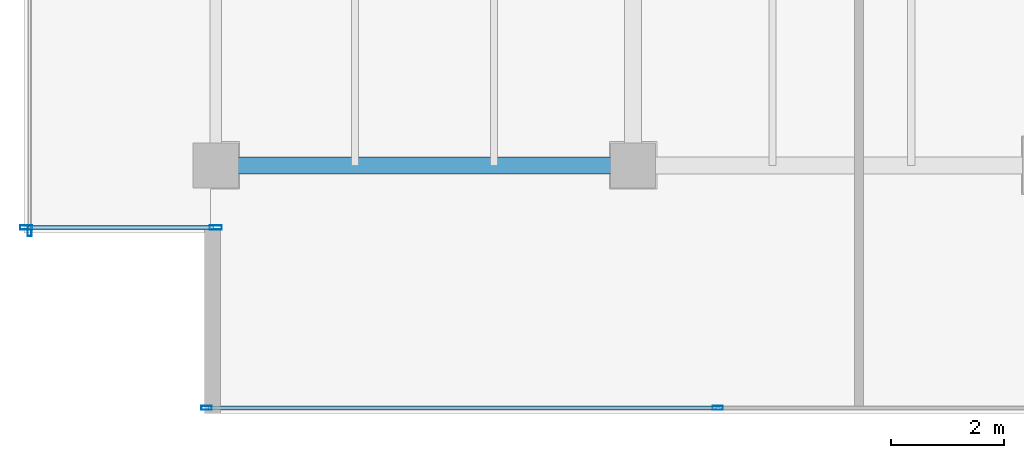
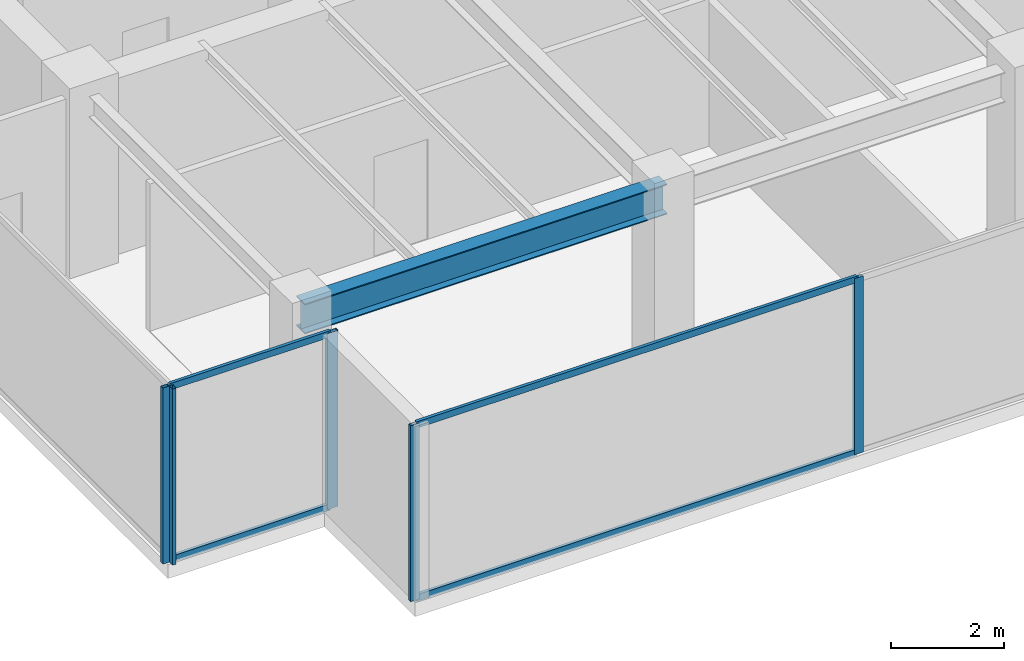
# One storey, part 5 of 36: 9 members, 1 beam, 3 elements without a shape of their own.
"""IFC4 building model written with IfcOpenShell, lengths in metres."""

import ifcopenshell
import ifcopenshell.guid

model = None  # the IFC model being written
_history = None  # IfcOwnerHistory: only IFC2X3 demands one
_inside = {}  # id of a spatial element -> (the spatial element, [elements in it])
_under = {}  # id of a project, library or spatial element -> (it, [spatial elements below it])
_declared = {}  # id of a project -> (the project, [libraries it declares])
_typed = {}  # id of a type object -> (the type object, [elements of that type])
_made_of = {}  # id of a material, layer set ... -> (it, [elements and type objects made of it])


def new_model(schema):
    """Start an empty IFC model of exactly this schema.

    Asked for "IFC4X3", IfcOpenShell would pick the latest addendum, in which some entities
    have other attributes; the version numbers below select the first issue.
    IFC2X3 requires an IfcOwnerHistory on every rooted entity: one is made here for all.
    """
    global model, _history
    if schema == "IFC4X3":
        model = ifcopenshell.file(schema_version=(4, 3, 0, 0))
    else:
        model = ifcopenshell.file(schema=schema)
    _inside.clear()
    _under.clear()
    _declared.clear()
    _typed.clear()
    _made_of.clear()
    _history = None
    if model.schema == "IFC2X3":
        org = make("IfcOrganization", Name="unknown")
        user = make(
            "IfcPersonAndOrganization",
            ThePerson=make("IfcPerson", FamilyName="unknown"),
            TheOrganization=org,
        )
        app = make(
            "IfcApplication",
            ApplicationDeveloper=org,
            Version="unknown",
            ApplicationFullName="unknown",
            ApplicationIdentifier="unknown",
        )
        _history = make(
            "IfcOwnerHistory",
            OwningUser=user,
            OwningApplication=app,
            ChangeAction="ADDED",
            CreationDate=0,
        )
    return model


def make(cls, **values):
    """One entity of the class cls with the attributes given. An attribute that is None is left unset."""
    return model.create_entity(
        cls, **{name: value for name, value in values.items() if value is not None}
    )


def rooted(cls, **values):
    """An entity with a GlobalId (a new one), such as an element, a storey or a relation."""
    return make(cls, GlobalId=ifcopenshell.guid.new(), OwnerHistory=_history, **values)


def si_unit(unit_type, name, prefix=None):
    """IfcSIUnit, for example si_unit("LENGTHUNIT", "METRE", prefix="MILLI")."""
    return make("IfcSIUnit", UnitType=unit_type, Prefix=prefix, Name=name)


def assignment(units):
    """IfcUnitAssignment: the units of a project."""
    return None if units is None else make("IfcUnitAssignment", Units=units)


def point(xyz):
    """IfcCartesianPoint."""
    return None if xyz is None else make("IfcCartesianPoint", Coordinates=xyz)


def direction(xyz):
    """IfcDirection."""
    return None if xyz is None else make("IfcDirection", DirectionRatios=xyz)


def frame(location, z_axis=None, x_axis=None):
    """IfcAxis2Placement3D, a coordinate frame: its origin and axes. An axis left out is left unset."""
    return make(
        "IfcAxis2Placement3D",
        Location=point(location),
        Axis=direction(z_axis),
        RefDirection=direction(x_axis),
    )


def frame_2d(location, x_axis=None):
    """IfcAxis2Placement2D, a coordinate frame in the plane: its origin and x axis."""
    return make(
        "IfcAxis2Placement2D", Location=point(location), RefDirection=direction(x_axis)
    )


def origin():
    """The frame at (0, 0, 0) with its axes left unset."""
    return frame((0.0, 0.0, 0.0))


def origin_2d():
    """The frame at (0, 0) in the plane with its x axis left unset."""
    return frame_2d((0.0, 0.0))


def place(relative_to, where):
    """IfcLocalPlacement: puts the frame where relative to a parent placement (None: the world)."""
    return make(
        "IfcLocalPlacement", PlacementRelTo=relative_to, RelativePlacement=where
    )


def context(
    kind, dimensions, precision=None, world=None, true_north=None, identifier=None
):
    """IfcGeometricRepresentationContext, for example the 3D "Model" context."""
    return make(
        "IfcGeometricRepresentationContext",
        ContextIdentifier=identifier,
        ContextType=kind,
        CoordinateSpaceDimension=dimensions,
        Precision=precision,
        WorldCoordinateSystem=world,
        TrueNorth=true_north,
    )


def subcontext(parent, identifier, kind, view, scale=None):
    """IfcGeometricRepresentationSubContext, for example "Body" below "Model"."""
    return make(
        "IfcGeometricRepresentationSubContext",
        ContextIdentifier=identifier,
        ContextType=kind,
        ParentContext=parent,
        TargetScale=scale,
        TargetView=view,
    )


def project(units=None, contexts=None):
    """IfcProject with its units and contexts."""
    return rooted(
        "IfcProject",
        Name="project",
        RepresentationContexts=contexts,
        UnitsInContext=assignment(units),
    )


def spatial(cls, under=None, at=None, **own):
    """A site, building, storey or space (cls), placed at a placement, below another one or the project."""
    s = rooted(cls, ObjectPlacement=at, **own)
    if under is not None:
        _under.setdefault(under.id(), (under, []))[1].append(s)
    return s


def profile(cls, at=None, kind="AREA", **sizes):
    """A parametric profile (cls). Its sizes go by their IFC names, for example OverallWidth=200.0."""
    return make(cls, ProfileType=kind, Position=at, **sizes)


def hollow_rectangle(**sizes):
    """IfcRectangleHollowProfileDef."""
    return profile("IfcRectangleHollowProfileDef", **sizes)


def i_section(**sizes):
    """IfcIShapeProfileDef."""
    return profile("IfcIShapeProfileDef", **sizes)


def extrude(swept, where, along, depth):
    """IfcExtrudedAreaSolid: the profile swept, set in the frame where, extruded along a direction by depth."""
    return make(
        "IfcExtrudedAreaSolid",
        SweptArea=swept,
        Position=where,
        ExtrudedDirection=direction(along),
        Depth=depth,
    )


def shape(context_of_items, identifier, shape_type, items):
    """IfcShapeRepresentation: the items that make up one representation, for example the "Body"."""
    return make(
        "IfcShapeRepresentation",
        ContextOfItems=context_of_items,
        RepresentationIdentifier=identifier,
        RepresentationType=shape_type,
        Items=items,
    )


def source(mapping_origin, context_of_items, identifier, shape_type, items):
    """IfcRepresentationMap: a shape defined once, which mapped items show again and again."""
    return make(
        "IfcRepresentationMap",
        MappingOrigin=mapping_origin,
        MappedRepresentation=shape(context_of_items, identifier, shape_type, items),
    )


def transform(
    local_origin,
    x_axis=None,
    y_axis=None,
    z_axis=None,
    scale=None,
    scale2=None,
    scale3=None,
    uniform=True,
):
    """IfcCartesianTransformationOperator3D, or its non-uniform kind. x_axis, y_axis, z_axis: its Axis1, 2, 3."""
    if uniform:
        return make(
            "IfcCartesianTransformationOperator3D",
            Axis1=direction(x_axis),
            Axis2=direction(y_axis),
            LocalOrigin=point(local_origin),
            Scale=scale,
            Axis3=direction(z_axis),
        )
    return make(
        "IfcCartesianTransformationOperator3DnonUniform",
        Axis1=direction(x_axis),
        Axis2=direction(y_axis),
        LocalOrigin=point(local_origin),
        Scale=scale,
        Axis3=direction(z_axis),
        Scale2=scale2,
        Scale3=scale3,
    )


def mapped(mapping_source, mapping_target):
    """IfcMappedItem: shows the shape of a source again, moved by a transform."""
    return make(
        "IfcMappedItem", MappingSource=mapping_source, MappingTarget=mapping_target
    )


def material(Name=None, Category=None):
    """IfcMaterial."""
    return make("IfcMaterial", Name=Name, Category=Category)


def layer(
    of_material, thickness, ventilated=None, Name=None, Category=None, Priority=None
):
    """IfcMaterialLayer: one layer of a wall or slab, of a material (None: an air gap)."""
    return make(
        "IfcMaterialLayer",
        Material=of_material,
        LayerThickness=thickness,
        IsVentilated=ventilated,
        Name=Name,
        Category=Category,
        Priority=Priority,
    )


def layer_set(layers, Name=None):
    """IfcMaterialLayerSet."""
    return make("IfcMaterialLayerSet", MaterialLayers=layers, LayerSetName=Name)


def material_profile(
    of_material, cross_section, Name=None, Category=None, Priority=None
):
    """IfcMaterialProfile: a cross section and its material."""
    return make(
        "IfcMaterialProfile",
        Name=Name,
        Material=of_material,
        Profile=cross_section,
        Priority=Priority,
        Category=Category,
    )


def profile_set(profiles, Name=None, composite=None):
    """IfcMaterialProfileSet."""
    return make(
        "IfcMaterialProfileSet",
        Name=Name,
        MaterialProfiles=profiles,
        CompositeProfile=composite,
    )


def made_of(thing, what):
    """Note that an element or type object is made of a material, layer set ...; save() writes the relation."""
    if what is not None:
        _made_of.setdefault(what.id(), (what, []))[1].append(thing)
    return thing


def type_object(cls, material=None, **own):
    """A type object (cls), such as IfcWallType, which elements share."""
    return made_of(rooted(cls, **own), material)


def type_shapes(of_type, sources):
    """Give a type object the sources (RepresentationMaps) that its elements show as mapped items."""
    of_type.RepresentationMaps = sources


def element(
    cls,
    number,
    at=None,
    inside=None,
    cuts=None,
    type_object=None,
    material=None,
    context=None,
    identifier="Body",
    shape_type=None,
    held_by="IfcProductDefinitionShape",
    body=None,
    shapes=None,
    **own,
):
    """One element of the class cls, such as IfcWall. Its Tag is "e" and its number.

    at: its placement. inside: the storey or other place that contains it. cuts: it is an
    opening in that element (IfcRelVoidsElement). A single representation is given by context,
    identifier, shape_type and body (its items); several are given by shapes. held_by: the class
    of the entity that holds the representations. save() writes the other relations.
    """
    e = rooted(cls, Tag="e%d" % number, ObjectPlacement=at, **own)
    if body is not None:
        shapes = [shape(context, identifier, shape_type, body)]
    if shapes is not None:
        e.Representation = make(held_by, Representations=shapes)
    if inside is not None:
        _inside.setdefault(inside.id(), (inside, []))[1].append(e)
    if cuts is not None:
        rooted(
            "IfcRelVoidsElement", RelatingBuildingElement=cuts, RelatedOpeningElement=e
        )
    if type_object is not None:
        _typed.setdefault(type_object.id(), (type_object, []))[1].append(e)
    return made_of(e, material)


def aggregate(whole, parts):
    """IfcRelAggregates: a whole, such as a stair, and the parts it consists of."""
    return rooted("IfcRelAggregates", RelatingObject=whole, RelatedObjects=parts)


def save(model, path):
    """Write the relations noted so far, then the file.

    IfcRelAggregates (storeys below a building ...), IfcRelContainedInSpatialStructure (elements
    in a storey), IfcRelDefinesByType, IfcRelAssociatesMaterial and IfcRelDeclares: one each for
    every whole, place, type object, material and project.
    """
    for whole, parts in _under.values():
        aggregate(whole, parts)
    for where, things in _inside.values():
        rooted(
            "IfcRelContainedInSpatialStructure",
            RelatedElements=things,
            RelatingStructure=where,
        )
    for kind, things in _typed.values():
        rooted("IfcRelDefinesByType", RelatedObjects=things, RelatingType=kind)
    for what, things in _made_of.values():
        rooted("IfcRelAssociatesMaterial", RelatedObjects=things, RelatingMaterial=what)
    for by, libraries in _declared.values():
        rooted("IfcRelDeclares", RelatingContext=by, RelatedDefinitions=libraries)
    model.write(path)


model = new_model("IFC4")

# Units and contexts
model_context = context("Model", 3, precision=1e-05, world=origin(), true_north=direction((0.0, 1.0)))
body_context = subcontext(model_context, "Body", "Model", "MODEL_VIEW")
ifc_project = project(units=[si_unit("LENGTHUNIT", "METRE"), si_unit("AREAUNIT", "SQUARE_METRE"), si_unit("VOLUMEUNIT", "CUBIC_METRE"), si_unit("PLANEANGLEUNIT", "RADIAN"), si_unit("MASSUNIT", "GRAM", prefix="KILO")], contexts=[model_context])

# Site, building, storey
site_placement = place(None, origin())
site = spatial("IfcSite", under=ifc_project, at=site_placement, CompositionType="ELEMENT")
building_placement = place(site_placement, origin())
building = spatial("IfcBuilding", under=site, at=building_placement, Name="Haelvirn Gate Laboratories", CompositionType="ELEMENT")
storey_placement = place(building_placement, frame((0.0, 0.0, 254.699951171875)))
storey = spatial("IfcBuildingStorey", under=building, at=storey_placement, Name="L61", CompositionType="ELEMENT", Elevation=254.699951171875)

# Beam
ifc_material_1 = material(Name="Steel SM355", Category="steel")
ifc_material_profile_1 = material_profile(ifc_material_1, i_section(OverallWidth=0.300048828125, OverallDepth=0.64990234375, WebThickness=0.012939453125, FlangeThickness=0.02197265625, at=origin_2d()), Name="H-650x300x13x22")
ifc_profile_set_1 = profile_set([ifc_material_profile_1], Name="Steel SM355")
beam_type = type_object("IfcBeamType", Name="BM-G-650", PredefinedType="BEAM", material=ifc_profile_set_1)
shared_shape_1 = source(origin(), body_context, "Body", "SweptSolid", [
    extrude(i_section(OverallWidth=0.300048828125, OverallDepth=0.64990234375, WebThickness=0.012939453125, FlangeThickness=0.02197265625, at=origin_2d()), origin(), (0.0, 0.0, 1.0), 7.400146484375),
])
type_shapes(beam_type, [shared_shape_1])
beam_placement = place(storey_placement, frame((7.39990234375, 7.0, 3.47509765625), z_axis=(1.0, 0.0, 0.0), x_axis=(0.0, 1.0, 0.0)))
element("IfcBeam", 1, at=beam_placement, inside=storey, type_object=beam_type, Name="L61 Primary Girder Y7.0 (7.4-14.8)", PredefinedType="BEAM", context=body_context, shape_type="MappedRepresentation", body=[
    mapped(shared_shape_1, transform((0.0, 0.0, 0.0), scale=1.0)),
])

# Curtain wall, members
ifc_material_2 = material(Name="Anodised bronze unitised aluminium & triple low-E glass", Category="aluminium")
ifc_layer_1 = layer(ifc_material_2, 0.181884765625, Name="CW-SYS-5")
ifc_layer_set_1 = layer_set([ifc_layer_1], Name="Anodised bronze unitised aluminium & triple low-E glass")
curtain_wall_type_1 = type_object("IfcCurtainWallType", Name="CW-SYS-5", PredefinedType="NOTDEFINED", material=ifc_layer_set_1)
curtain_wall_1_placement = place(storey_placement, origin())
curtain_wall_1 = element("IfcCurtainWall", 2, at=curtain_wall_1_placement, inside=storey, type_object=curtain_wall_type_1, Name="L61 Unitised Curtain Wall CW-L61-P0-E18-1", PredefinedType="NOTDEFINED")
ifc_material_3 = material(Name="Extruded aluminium 6063-T6 (anodised bronze)", Category="aluminium")
ifc_material_profile_2 = material_profile(ifc_material_3, hollow_rectangle(XDim=0.06494140625, YDim=0.139892578125, WallThickness=0.00390625, at=origin_2d()), Name="CWT-140x65x4")
ifc_profile_set_2 = profile_set([ifc_material_profile_2], Name="Extruded aluminium 6063-T6 (anodised bronze)")
member_type_1 = type_object("IfcMemberType", Name="CWT-T140", PredefinedType="USERDEFINED", material=ifc_profile_set_2)
shared_shape_2 = source(origin(), body_context, "Body", "SweptSolid", [
    extrude(hollow_rectangle(XDim=0.06494140625, YDim=0.139892578125, WallThickness=0.00390625, at=origin_2d()), origin(), (0.0, 0.0, 1.0), 3.280029296875),
])
member_1_placement = place(storey_placement, frame((4.080078125, 5.89990234375, 0.032470703125), z_axis=(1.0, 0.0, 0.0), x_axis=(0.0, 1.0, 0.0)))
member_1 = element("IfcMember", 3, at=member_1_placement, type_object=member_type_1, Name="CW5 transom 1.1", ObjectType="TRANSOM", PredefinedType="USERDEFINED", context=body_context, shape_type="MappedRepresentation", body=[
    mapped(shared_shape_2, transform((0.0, 0.0, 0.0), scale=1.0)),
])
member_2_placement = place(storey_placement, frame((4.080078125, 5.89990234375, 3.767578125), z_axis=(1.0, 0.0, 0.0), x_axis=(0.0, 1.0, 0.0)))
member_2 = element("IfcMember", 4, at=member_2_placement, type_object=member_type_1, Name="CW5 transom 1.2", ObjectType="TRANSOM", PredefinedType="USERDEFINED", context=body_context, shape_type="MappedRepresentation", body=[
    mapped(shared_shape_2, transform((0.0, 0.0, 0.0), scale=1.0)),
])

ifc_layer_2 = layer(ifc_material_2, 0.176025390625, Name="CW-SYS-4")
ifc_layer_set_2 = layer_set([ifc_layer_2], Name="Anodised bronze unitised aluminium & triple low-E glass")
curtain_wall_type_2 = type_object("IfcCurtainWallType", Name="CW-SYS-4", PredefinedType="NOTDEFINED", material=ifc_layer_set_2)
curtain_wall_2_placement = place(storey_placement, origin())
curtain_wall_2 = element("IfcCurtainWall", 5, at=curtain_wall_2_placement, inside=storey, type_object=curtain_wall_type_2, Name="L61 Unitised Curtain Wall CW-L61-P0-E00-1", PredefinedType="NOTDEFINED")
ifc_material_profile_3 = material_profile(ifc_material_3, hollow_rectangle(XDim=0.070068359375, YDim=0.179931640625, WallThickness=0.0048828125, at=origin_2d()), Name="CWM-180x70x5")
ifc_profile_set_3 = profile_set([ifc_material_profile_3], Name="Extruded aluminium 6063-T6 (anodised bronze)")
member_type_2 = type_object("IfcMemberType", Name="CWM-T180", PredefinedType="MULLION", material=ifc_profile_set_3)
shared_shape_3 = source(origin(), body_context, "Body", "SweptSolid", [
    extrude(hollow_rectangle(XDim=0.070068359375, YDim=0.179931640625, WallThickness=0.0048828125, at=origin_2d()), origin(), (0.0, 0.0, 1.0), 3.800048828125),
])
type_shapes(member_type_2, [shared_shape_3])
member_3_placement = place(storey_placement, frame((7.235107421875, 2.699951171875, 0.0), z_axis=(0.0, 0.0, 1.0), x_axis=(0.0, 1.0, 0.0)))
member_3 = element("IfcMember", 6, at=member_3_placement, type_object=member_type_2, Name="CW4 mullion 1", PredefinedType="MULLION", context=body_context, shape_type="MappedRepresentation", body=[
    mapped(shared_shape_3, transform((0.0, 0.0, 0.0), scale=1.0)),
])
member_4_placement = place(storey_placement, frame((16.300048828125, 2.699951171875, 0.0), z_axis=(0.0, 0.0, 1.0), x_axis=(0.0, 1.0, 0.0)))
member_4 = element("IfcMember", 7, at=member_4_placement, type_object=member_type_2, Name="CW4 mullion 2", PredefinedType="MULLION", context=body_context, shape_type="MappedRepresentation", body=[
    mapped(shared_shape_3, transform((0.0, 0.0, 0.0), scale=1.0)),
])

# Curtain wall, member
curtain_wall_3_placement = place(storey_placement, origin())
curtain_wall_3 = element("IfcCurtainWall", 8, at=curtain_wall_3_placement, inside=storey, type_object=curtain_wall_type_2, Name="L61 Unitised Curtain Wall CW-L61-P0-E17", PredefinedType="NOTDEFINED")
member_5_placement = place(storey_placement, frame((4.10009765625, 5.8349609375, 0.0), z_axis=(0.0, 0.0, 1.0), x_axis=(1.0, 0.0, 0.0)))
member_5 = element("IfcMember", 9, at=member_5_placement, type_object=member_type_2, Name="CW4 mullion 3", PredefinedType="MULLION", context=body_context, shape_type="MappedRepresentation", body=[
    mapped(shared_shape_3, transform((0.0, 0.0, 0.0), scale=1.0)),
])
aggregate(curtain_wall_3, [member_5])

# Member
shared_shape_4 = source(origin(), body_context, "Body", "SweptSolid", [
    extrude(hollow_rectangle(XDim=0.06494140625, YDim=0.139892578125, WallThickness=0.00390625, at=origin_2d()), origin(), (0.0, 0.0, 1.0), 8.994873046875),
])
type_shapes(member_type_1, [shared_shape_2, shared_shape_4])
member_6_placement = place(storey_placement, frame((7.27001953125, 2.699951171875, 0.032470703125), z_axis=(1.0, 0.0, 0.0), x_axis=(0.0, 1.0, 0.0)))
member_6 = element("IfcMember", 10, at=member_6_placement, type_object=member_type_1, Name="CW4 transom 1.1", ObjectType="TRANSOM", PredefinedType="USERDEFINED", context=body_context, shape_type="MappedRepresentation", body=[
    mapped(shared_shape_4, transform((0.0, 0.0, 0.0), scale=1.0)),
])

member_7_placement = place(storey_placement, frame((7.27001953125, 2.699951171875, 3.767578125), z_axis=(1.0, 0.0, 0.0), x_axis=(0.0, 1.0, 0.0)))
member_7 = element("IfcMember", 11, at=member_7_placement, type_object=member_type_1, Name="CW4 transom 1.2", ObjectType="TRANSOM", PredefinedType="USERDEFINED", context=body_context, shape_type="MappedRepresentation", body=[
    mapped(shared_shape_4, transform((0.0, 0.0, 0.0), scale=1.0)),
])

aggregate(curtain_wall_2, [member_3, member_4, member_6, member_7])

ifc_material_profile_4 = material_profile(ifc_material_3, hollow_rectangle(XDim=0.080078125, YDim=0.219970703125, WallThickness=0.006103515625, at=origin_2d()), Name="CWM-220x80x6")
ifc_profile_set_4 = profile_set([ifc_material_profile_4], Name="Extruded aluminium 6063-T6 (anodised bronze)")
member_type_3 = type_object("IfcMemberType", Name="CWM-T220", PredefinedType="MULLION", material=ifc_profile_set_4)
shared_shape_5 = source(origin(), body_context, "Body", "SweptSolid", [
    extrude(hollow_rectangle(XDim=0.080078125, YDim=0.219970703125, WallThickness=0.006103515625, at=origin_2d()), origin(), (0.0, 0.0, 1.0), 3.800048828125),
])
type_shapes(member_type_3, [shared_shape_5])
member_8_placement = place(storey_placement, frame((4.0400390625, 5.89990234375, 0.0), z_axis=(0.0, 0.0, 1.0), x_axis=(0.0, 1.0, 0.0)))
member_8 = element("IfcMember", 12, at=member_8_placement, type_object=member_type_3, Name="CW5 mullion 1", PredefinedType="MULLION", context=body_context, shape_type="MappedRepresentation", body=[
    mapped(shared_shape_5, transform((0.0, 0.0, 0.0), scale=1.0)),
])

member_9_placement = place(storey_placement, frame((7.39990234375, 5.89990234375, 0.0), z_axis=(0.0, 0.0, 1.0), x_axis=(0.0, 1.0, 0.0)))
member_9 = element("IfcMember", 13, at=member_9_placement, type_object=member_type_3, Name="CW5 mullion 2", PredefinedType="MULLION", context=body_context, shape_type="MappedRepresentation", body=[
    mapped(shared_shape_5, transform((0.0, 0.0, 0.0), scale=1.0)),
])

aggregate(curtain_wall_1, [member_8, member_9, member_1, member_2])

save(model, "model.ifc")
